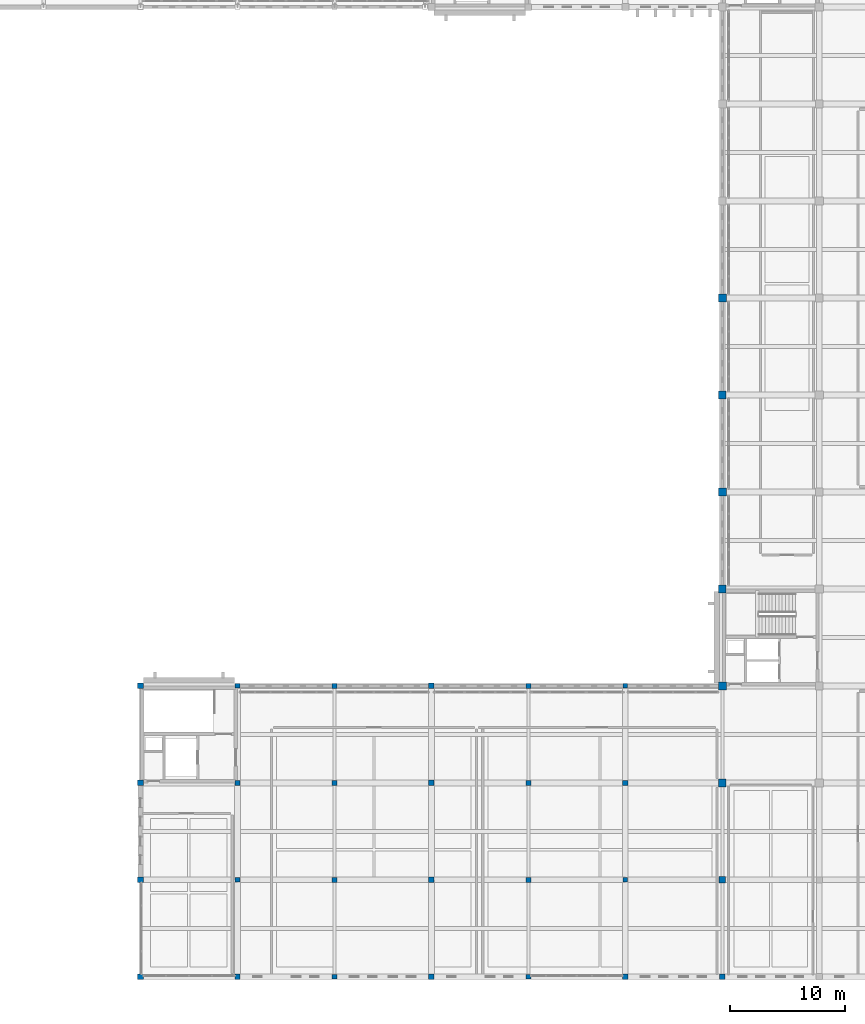
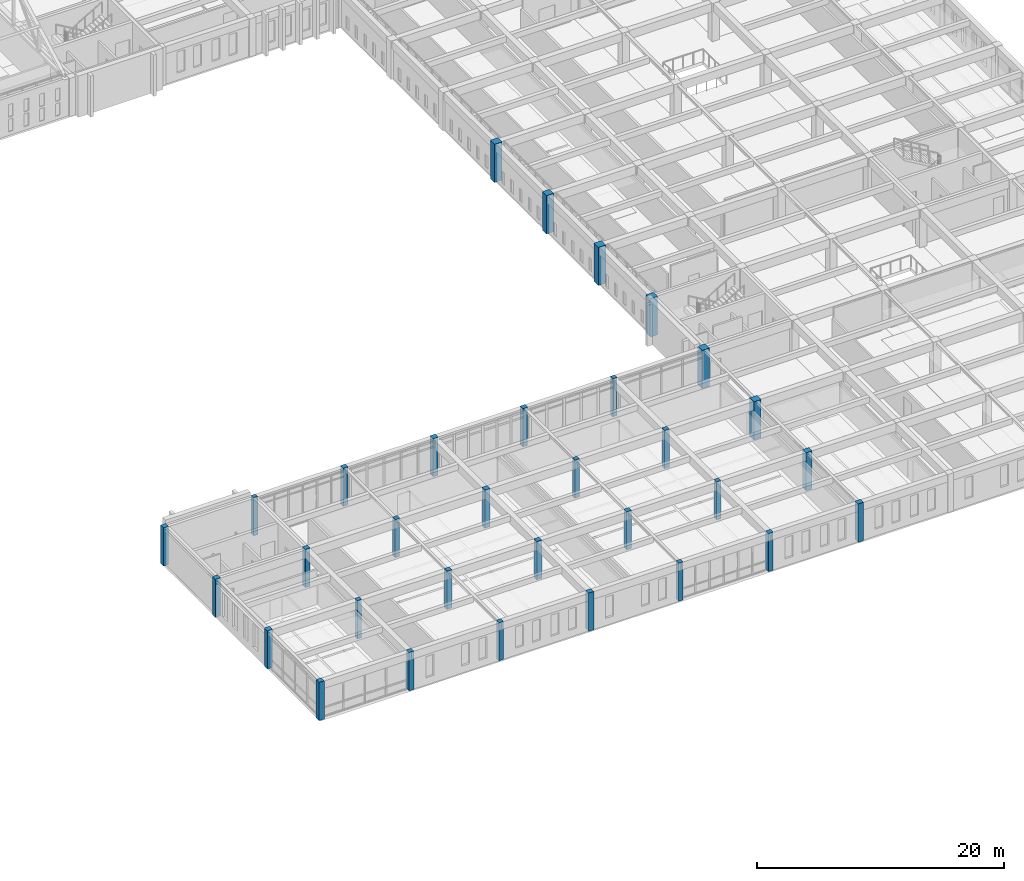
# One storey, part 2 of 110: 32 columns.
"""IFC4 building model written with IfcOpenShell, lengths in metres."""

from ifc_helpers import new_model, si_unit, direction, frame, origin, origin_2d, place, context, subcontext, project, spatial, rectangle, extrude, material, material_profile, profile_set, type_object, element, save


model = new_model("IFC4")

# Units and contexts
model_context = context("Model", 3, precision=1e-05, world=origin(), true_north=direction((0.0, 1.0)))
body_context = subcontext(model_context, "Body", "Model", "MODEL_VIEW")
ifc_project = project(units=[si_unit("LENGTHUNIT", "METRE"), si_unit("AREAUNIT", "SQUARE_METRE"), si_unit("VOLUMEUNIT", "CUBIC_METRE"), si_unit("PLANEANGLEUNIT", "RADIAN"), si_unit("MASSUNIT", "GRAM", prefix="KILO")], contexts=[model_context])

# Site, building, storey
site_placement = place(None, origin())
site = spatial("IfcSite", under=ifc_project, at=site_placement, CompositionType="ELEMENT")
building_placement = place(site_placement, origin())
building = spatial("IfcBuilding", under=site, at=building_placement, Name="Kveldsbrygga Polytechnic", CompositionType="ELEMENT")
storey_placement = place(building_placement, frame((0.0, 0.0, 9.860107421875)))
storey = spatial("IfcBuildingStorey", under=building, at=storey_placement, Name="L02", CompositionType="ELEMENT", Elevation=9.860107421875)

# Columns
ifc_material = material(Name="Concrete C45/55", Category="concrete")
ifc_material_profile_1 = material_profile(ifc_material, rectangle(XDim=0.39990234375, YDim=0.39990234375, at=origin_2d()), Name="RC 400x400")
ifc_profile_set_1 = profile_set([ifc_material_profile_1], Name="Concrete C45/55")
column_type_1 = type_object("IfcColumnType", Name="COL-RC-400", PredefinedType="COLUMN", material=ifc_profile_set_1)
for number, where, z_axis, x_axis, name in (
    (1, (84.0, 8.39990234375, 0.0), (0.0, 0.0, 1.0), (1.0, 0.0, 0.0), "Column COL-L02-10-01"),
    (2, (84.0, 25.199951171875, 0.0), (0.0, 0.0, 1.0), (1.0, 0.0, 0.0), "Column COL-L02-10-03"),
    (3, (117.60009765625, 8.39990234375, 0.0), (0.0, 0.0, 1.0), (1.0, 0.0, 0.0), "Column COL-L02-14-01"),
    (4, (117.60009765625, 25.199951171875, 0.0), (0.0, 0.0, 1.0), (1.0, 0.0, 0.0), "Column COL-L02-14-03"),
):
    element("IfcColumn", number, at=place(storey_placement, frame(where, z_axis=z_axis, x_axis=x_axis)), inside=storey, type_object=column_type_1, Name=name, PredefinedType="COLUMN", context=body_context, shape_type="SweptSolid", body=[
        extrude(rectangle(XDim=0.39990234375, YDim=0.39990234375, at=origin_2d()), origin(), (0.0, 0.0, 1.0), 3.77978515625),
    ])
ifc_material_profile_2 = material_profile(ifc_material, rectangle(XDim=0.419921875, YDim=0.419921875, at=origin_2d()), Name="RC 420x420")
ifc_profile_set_2 = profile_set([ifc_material_profile_2], Name="Concrete C45/55")
column_type_2 = type_object("IfcColumnType", Name="COL-RC-420", PredefinedType="COLUMN", material=ifc_profile_set_2)
for number, where, z_axis, x_axis, name in (
    (5, (92.39990234375, 0.0, 0.0), (0.0, 0.0, 1.0), (1.0, 0.0, 0.0), "Column COL-L02-11-00"),
    (6, (92.39990234375, 16.800048828125, 0.0), (0.0, 0.0, 1.0), (1.0, 0.0, 0.0), "Column COL-L02-11-02"),
    (7, (109.199951171875, 0.0, 0.0), (0.0, 0.0, 1.0), (1.0, 0.0, 0.0), "Column COL-L02-13-00"),
    (8, (109.199951171875, 16.800048828125, 0.0), (0.0, 0.0, 1.0), (1.0, 0.0, 0.0), "Column COL-L02-13-02"),
):
    element("IfcColumn", number, at=place(storey_placement, frame(where, z_axis=z_axis, x_axis=x_axis)), inside=storey, type_object=column_type_2, Name=name, PredefinedType="COLUMN", context=body_context, shape_type="SweptSolid", body=[
        extrude(rectangle(XDim=0.419921875, YDim=0.419921875, at=origin_2d()), origin(), (0.0, 0.0, 1.0), 3.77978515625),
    ])
ifc_material_profile_3 = material_profile(ifc_material, rectangle(XDim=0.449951171875, YDim=0.449951171875, at=origin_2d()), Name="RC 450x450")
ifc_profile_set_3 = profile_set([ifc_material_profile_3], Name="Concrete C45/55")
column_type_3 = type_object("IfcColumnType", Name="COL-RC-450", PredefinedType="COLUMN", material=ifc_profile_set_3)
for number, where, z_axis, x_axis, name in (
    (9, (84.0, 0.0, 0.0), (0.0, 0.0, 1.0), (1.0, 0.0, 0.0), "Column COL-L02-10-00"),
    (10, (84.0, 16.800048828125, 0.0), (0.0, 0.0, 1.0), (1.0, 0.0, 0.0), "Column COL-L02-10-02"),
    (11, (92.39990234375, 8.39990234375, 0.0), (0.0, 0.0, 1.0), (1.0, 0.0, 0.0), "Column COL-L02-11-01"),
    (12, (92.39990234375, 25.199951171875, 0.0), (0.0, 0.0, 1.0), (1.0, 0.0, 0.0), "Column COL-L02-11-03"),
    (13, (109.199951171875, 8.39990234375, 0.0), (0.0, 0.0, 1.0), (1.0, 0.0, 0.0), "Column COL-L02-13-01"),
    (14, (109.199951171875, 25.199951171875, 0.0), (0.0, 0.0, 1.0), (1.0, 0.0, 0.0), "Column COL-L02-13-03"),
    (15, (117.60009765625, 0.0, 0.0), (0.0, 0.0, 1.0), (1.0, 0.0, 0.0), "Column COL-L02-14-00"),
    (16, (117.60009765625, 16.800048828125, 0.0), (0.0, 0.0, 1.0), (1.0, 0.0, 0.0), "Column COL-L02-14-02"),
):
    element("IfcColumn", number, at=place(storey_placement, frame(where, z_axis=z_axis, x_axis=x_axis)), inside=storey, type_object=column_type_3, Name=name, PredefinedType="COLUMN", context=body_context, shape_type="SweptSolid", body=[
        extrude(rectangle(XDim=0.449951171875, YDim=0.449951171875, at=origin_2d()), origin(), (0.0, 0.0, 1.0), 3.77978515625),
    ])
ifc_material_profile_4 = material_profile(ifc_material, rectangle(XDim=0.47998046875, YDim=0.47998046875, at=origin_2d()), Name="RC 480x480")
ifc_profile_set_4 = profile_set([ifc_material_profile_4], Name="Concrete C45/55")
column_type_4 = type_object("IfcColumnType", Name="COL-RC-480", PredefinedType="COLUMN", material=ifc_profile_set_4)
for number, where, z_axis, x_axis, name in (
    (17, (75.60009765625, 0.0, 0.0), (0.0, 0.0, 1.0), (1.0, 0.0, 0.0), "Column COL-L02-09-00"),
    (18, (75.60009765625, 8.39990234375, 0.0), (0.0, 0.0, 1.0), (1.0, 0.0, 0.0), "Column COL-L02-09-01"),
    (19, (75.60009765625, 16.800048828125, 0.0), (0.0, 0.0, 1.0), (1.0, 0.0, 0.0), "Column COL-L02-09-02"),
    (20, (75.60009765625, 25.199951171875, 0.0), (0.0, 0.0, 1.0), (1.0, 0.0, 0.0), "Column COL-L02-09-03"),
    (21, (100.800048828125, 0.0, 0.0), (0.0, 0.0, 1.0), (1.0, 0.0, 0.0), "Column COL-L02-12-00"),
    (22, (100.800048828125, 8.39990234375, 0.0), (0.0, 0.0, 1.0), (1.0, 0.0, 0.0), "Column COL-L02-12-01"),
    (23, (100.800048828125, 16.800048828125, 0.0), (0.0, 0.0, 1.0), (1.0, 0.0, 0.0), "Column COL-L02-12-02"),
    (24, (100.800048828125, 25.199951171875, 0.0), (0.0, 0.0, 1.0), (1.0, 0.0, 0.0), "Column COL-L02-12-03"),
):
    element("IfcColumn", number, at=place(storey_placement, frame(where, z_axis=z_axis, x_axis=x_axis)), inside=storey, type_object=column_type_4, Name=name, PredefinedType="COLUMN", context=body_context, shape_type="SweptSolid", body=[
        extrude(rectangle(XDim=0.47998046875, YDim=0.47998046875, at=origin_2d()), origin(), (0.0, 0.0, 1.0), 3.77978515625),
    ])
ifc_material_profile_5 = material_profile(ifc_material, rectangle(XDim=0.5, YDim=0.5, at=origin_2d()), Name="RC 500x500")
ifc_profile_set_5 = profile_set([ifc_material_profile_5], Name="Concrete C45/55")
column_type_5 = type_object("IfcColumnType", Name="COL-RC-500", PredefinedType="COLUMN", material=ifc_profile_set_5)
column_1_placement = place(storey_placement, frame((126.0, 0.0, 0.0), z_axis=(0.0, 0.0, 1.0), x_axis=(1.0, 0.0, 0.0)))
element("IfcColumn", 25, at=column_1_placement, inside=storey, type_object=column_type_5, Name="Column COL-L02-15-00", PredefinedType="COLUMN", context=body_context, shape_type="SweptSolid", body=[
    extrude(rectangle(XDim=0.5, YDim=0.5, at=origin_2d()), origin(), (0.0, 0.0, 1.0), 3.77978515625),
])
ifc_material_profile_6 = material_profile(ifc_material, rectangle(XDim=0.550048828125, YDim=0.550048828125, at=origin_2d()), Name="RC 550x550")
ifc_profile_set_6 = profile_set([ifc_material_profile_6], Name="Concrete C45/55")
column_type_6 = type_object("IfcColumnType", Name="COL-RC-550", PredefinedType="COLUMN", material=ifc_profile_set_6)
column_2_placement = place(storey_placement, frame((126.0, 8.39990234375, 0.0), z_axis=(0.0, 0.0, 1.0), x_axis=(1.0, 0.0, 0.0)))
element("IfcColumn", 26, at=column_2_placement, inside=storey, type_object=column_type_6, Name="Column COL-L02-15-01", PredefinedType="COLUMN", context=body_context, shape_type="SweptSolid", body=[
    extrude(rectangle(XDim=0.550048828125, YDim=0.550048828125, at=origin_2d()), origin(), (0.0, 0.0, 1.0), 3.77978515625),
])
ifc_material_profile_7 = material_profile(ifc_material, rectangle(XDim=0.679931640625, YDim=0.679931640625, at=origin_2d()), Name="RC 680x680")
ifc_profile_set_7 = profile_set([ifc_material_profile_7], Name="Concrete C45/55")
column_type_7 = type_object("IfcColumnType", Name="COL-RC-680", PredefinedType="COLUMN", material=ifc_profile_set_7)
for number, where, z_axis, x_axis, name in (
    (27, (126.0, 16.800048828125, 0.0), (0.0, 0.0, 1.0), (1.0, 0.0, 0.0), "Column COL-L02-15-02"),
    (28, (126.0, 33.60009765625, 0.0), (0.0, 0.0, 1.0), (1.0, 0.0, 0.0), "Column COL-L02-15-04"),
    (29, (126.0, 50.39990234375, 0.0), (0.0, 0.0, 1.0), (1.0, 0.0, 0.0), "Column COL-L02-15-06"),
):
    element("IfcColumn", number, at=place(storey_placement, frame(where, z_axis=z_axis, x_axis=x_axis)), inside=storey, type_object=column_type_7, Name=name, PredefinedType="COLUMN", context=body_context, shape_type="SweptSolid", body=[
        extrude(rectangle(XDim=0.679931640625, YDim=0.679931640625, at=origin_2d()), origin(), (0.0, 0.0, 1.0), 3.77978515625),
    ])
ifc_material_profile_8 = material_profile(ifc_material, rectangle(XDim=0.699951171875, YDim=0.699951171875, at=origin_2d()), Name="RC 700x700")
ifc_profile_set_8 = profile_set([ifc_material_profile_8], Name="Concrete C45/55")
column_type_8 = type_object("IfcColumnType", Name="COL-RC-700", PredefinedType="COLUMN", material=ifc_profile_set_8)
for number, where, z_axis, x_axis, name in (
    (30, (126.0, 25.199951171875, 0.0), (0.0, 0.0, 1.0), (1.0, 0.0, 0.0), "Column COL-L02-15-03"),
    (31, (126.0, 42.0, 0.0), (0.0, 0.0, 1.0), (1.0, 0.0, 0.0), "Column COL-L02-15-05"),
    (32, (126.0, 58.800048828125, 0.0), (0.0, 0.0, 1.0), (1.0, 0.0, 0.0), "Column COL-L02-15-07"),
):
    element("IfcColumn", number, at=place(storey_placement, frame(where, z_axis=z_axis, x_axis=x_axis)), inside=storey, type_object=column_type_8, Name=name, PredefinedType="COLUMN", context=body_context, shape_type="SweptSolid", body=[
        extrude(rectangle(XDim=0.699951171875, YDim=0.699951171875, at=origin_2d()), origin(), (0.0, 0.0, 1.0), 3.77978515625),
    ])

save(model, "model.ifc")
